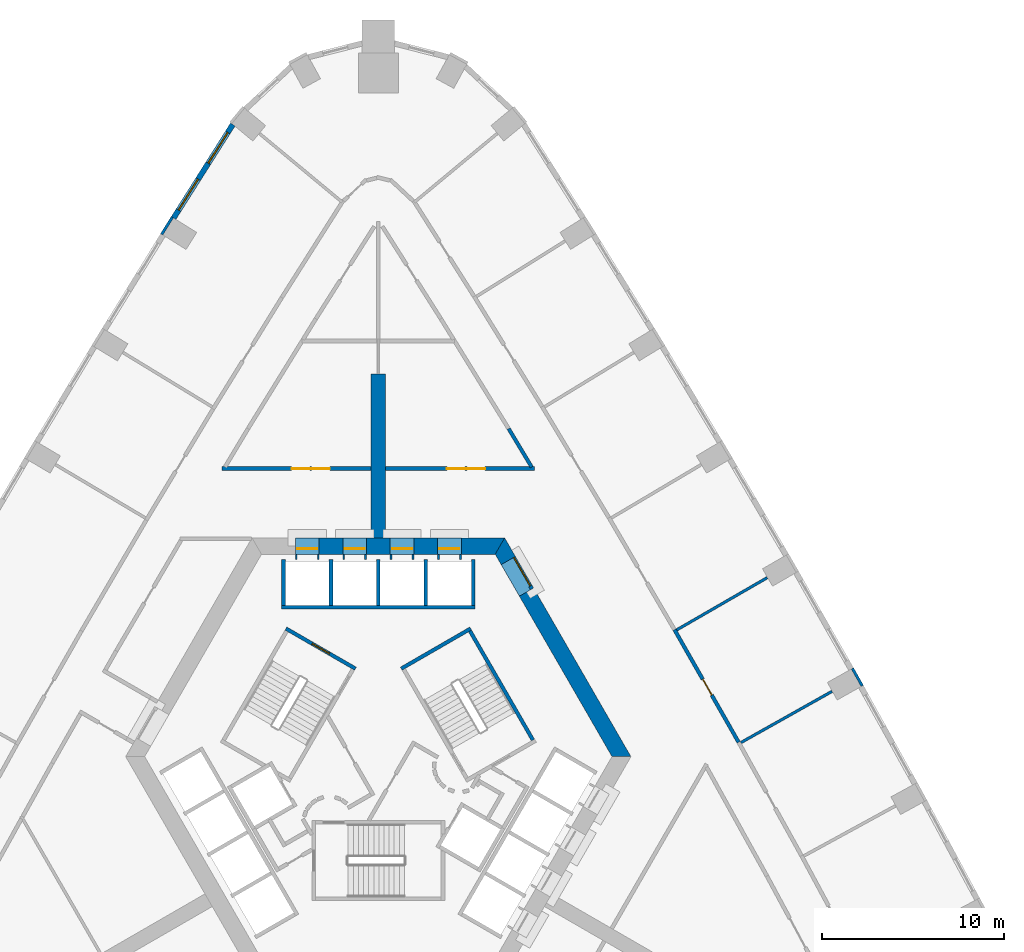
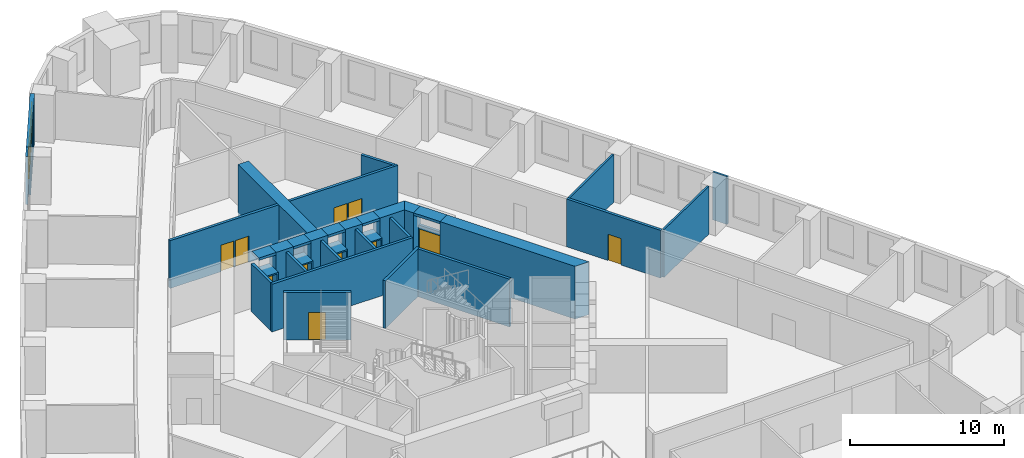
# One storey, part 9 of 13: 35 walls, 11 doors, 2 windows, 13 openings.
"""IFC4 building model written with IfcOpenShell, lengths in metres."""

from ifc_helpers import new_model, si_unit, direction, frame, frame_2d, origin, place, context, subcontext, project, spatial, polyline, rectangle, outline, extrude, material, layer, layer_set, type_object, element, fill, save


model = new_model("IFC4")

# Units and contexts
model_context = context("Model", 3, precision=1e-05, world=origin(), true_north=direction((0.0, 1.0)))
body_context = subcontext(model_context, "Body", "Model", "MODEL_VIEW")
ifc_project = project(units=[si_unit("LENGTHUNIT", "METRE"), si_unit("AREAUNIT", "SQUARE_METRE"), si_unit("VOLUMEUNIT", "CUBIC_METRE"), si_unit("PLANEANGLEUNIT", "RADIAN"), si_unit("MASSUNIT", "GRAM", prefix="KILO")], contexts=[model_context])

# Site, building, storey
site_placement = place(None, origin())
site = spatial("IfcSite", under=ifc_project, at=site_placement, CompositionType="ELEMENT")
building_placement = place(site_placement, origin())
building = spatial("IfcBuilding", under=site, at=building_placement, Name="Entoto Arch Interchange Tower", CompositionType="ELEMENT")
storey_placement = place(building_placement, frame((0.0, 0.0, 90.800048828125)))
storey = spatial("IfcBuildingStorey", under=building, at=storey_placement, Name="L19", CompositionType="ELEMENT", Elevation=90.800048828125)

# Wall
ifc_material_1 = material(Name="Concrete C60/75", Category="concrete")
ifc_layer_1 = layer(ifc_material_1, 0.800048828125)
ifc_layer_set_1 = layer_set([ifc_layer_1], Name="Concrete C60/75")
wall_type_1 = type_object("IfcWallType", Name="Buttress wall 800 C60/75", PredefinedType="SHEAR", material=ifc_layer_set_1)
wall_1_placement = place(storey_placement, frame((0.0, 14.5, -0.400146484375), z_axis=(0.0, 0.0, 1.0), x_axis=(0.0, 1.0, 0.0)))
element("IfcWall", 1, at=wall_1_placement, inside=storey, type_object=wall_type_1, Name="Buttress wall N L19", PredefinedType="SHEAR", context=body_context, shape_type="SweptSolid", body=[
    extrude(rectangle(XDim=9.0, YDim=0.800048828125, at=frame_2d((4.5, 0.0))), origin(), (0.0, 0.0, 1.0), 4.2001953125),
])

# Wall, opening, door
ifc_material_2 = material(Name="Reinforced concrete C40/50", Category="concrete")
ifc_layer_2 = layer(ifc_material_2, 0.199951171875)
ifc_layer_set_2 = layer_set([ifc_layer_2], Name="Reinforced concrete C40/50")
wall_type_2 = type_object("IfcWallType", Name="CORE GAP INFILL WALL", PredefinedType="PARTITIONING", material=ifc_layer_set_2)
wall_2_placement = place(storey_placement, frame((8.429931640625, 11.697998046875, 0.0), z_axis=(0.0, 0.0, 1.0), x_axis=(-0.50002537861, 0.866010750942, 0.0)))
wall_2 = element("IfcWall", 2, at=wall_2_placement, inside=storey, type_object=wall_type_2, Name="wall:L19:gap2", PredefinedType="PARTITIONING", context=body_context, shape_type="SweptSolid", body=[
    extrude(rectangle(XDim=2.0, YDim=0.199951171875, at=frame_2d((1.0, 0.0))), origin(), (0.0, 0.0, 1.0), 2.39990234375),
])
opening_1_placement = place(wall_2_placement, frame((0.18994140625, 0.0, 0.0)))
opening_1 = element("IfcOpeningElement", 3, at=opening_1_placement, cuts=wall_2, Name="Opening L19-D92", PredefinedType="OPENING", context=body_context, shape_type="SweptSolid", body=[
    extrude(rectangle(XDim=1.800048828125, YDim=2.10009765625, at=frame_2d((0.89990234375, 1.050048828125))), frame((0.0, 0.10986328125, 0.0), z_axis=(0.0, -1.0, 0.0), x_axis=(1.0, 0.0, 0.0)), (0.0, 0.0, 1.0), 0.219970703125),
])
ifc_material_3 = material(Name="Fire-rated Steel S235 door and frame", Category="steel")
door_type_1 = type_object("IfcDoorType", Name="DOOR FD-18 1800x2100", OperationType="DOUBLE_DOOR_SINGLE_SWING", PredefinedType="DOOR", material=ifc_material_3)
door_1_placement = place(opening_1_placement, origin())
door_1 = element("IfcDoor", 4, at=door_1_placement, inside=storey, type_object=door_type_1, Name="door:L19:gap2", OperationType="DOUBLE_DOOR_SINGLE_SWING", OverallHeight=2.10009765625, OverallWidth=1.800048828125, PredefinedType="DOOR", context=body_context, shape_type="SweptSolid", body=[
    extrude(rectangle(XDim=1.800048828125, YDim=2.10009765625, at=frame_2d((0.89990234375, 1.050048828125))), frame((0.0, 0.02490234375, 0.0), z_axis=(0.0, -1.0, 0.0), x_axis=(1.0, 0.0, 0.0)), (0.0, 0.0, 1.0), 0.050048828125),
])
fill(opening_1, door_1)

# Walls
ifc_layer_3 = layer(ifc_material_1, 0.89990234375)
ifc_layer_set_3 = layer_set([ifc_layer_3], Name="Concrete C60/75")
wall_type_3 = type_object("IfcWallType", Name="Core wall 900 C60/75", PredefinedType="SHEAR", material=ifc_layer_set_3)
wall_3_placement = place(storey_placement, frame((0.0, 0.0, -0.400146484375)))
element("IfcWall", 5, at=wall_3_placement, inside=storey, type_object=wall_type_3, Name="Core wall NE L19", PredefinedType="SHEAR", context=body_context, shape_type="SweptSolid", body=[
    extrude(outline(polyline([(8.51708984375, 11.748046875), (7.738037109375, 11.298095703125), (12.81689453125, 2.5), (13.85595703125, 2.5), (8.51708984375, 11.748046875)])), origin(), (0.0, 0.0, 1.0), 4.2001953125),
])
wall_4_placement = place(storey_placement, frame((0.0, 0.0, -0.400146484375)))
element("IfcWall", 6, at=wall_4_placement, inside=storey, type_object=wall_type_3, Name="Core wall NE L19", PredefinedType="SHEAR", context=body_context, shape_type="SweptSolid", body=[
    extrude(outline(polyline([(6.738037109375, 13.030029296875), (7.51708984375, 13.47998046875), (6.927978515625, 14.5), (6.408935546875, 13.60009765625), (6.738037109375, 13.030029296875)])), origin(), (0.0, 0.0, 1.0), 4.2001953125),
])
wall_5_placement = place(storey_placement, frame((0.0, 0.0, 3.599853515625)))
element("IfcWall", 7, at=wall_5_placement, inside=storey, type_object=wall_type_3, Name="Core wall lintel NE L19", PredefinedType="SHEAR", context=body_context, shape_type="SweptSolid", body=[
    extrude(outline(polyline([(7.51708984375, 13.47998046875), (6.738037109375, 13.030029296875), (7.738037109375, 11.298095703125), (8.51708984375, 11.748046875), (7.51708984375, 13.47998046875)])), origin(), (0.0, 0.0, 1.0), 0.2001953125),
])
wall_6_placement = place(storey_placement, frame((0.0, 0.0, -0.400146484375)))
element("IfcWall", 8, at=wall_6_placement, inside=storey, type_object=wall_type_3, Name="Core wall N L19", PredefinedType="SHEAR", context=body_context, shape_type="SweptSolid", body=[
    extrude(outline(polyline([(4.550048828125, 14.5), (4.550048828125, 13.60009765625), (6.408935546875, 13.60009765625), (6.927978515625, 14.5), (4.550048828125, 14.5)])), origin(), (0.0, 0.0, 1.0), 4.2001953125),
])
wall_7_placement = place(storey_placement, frame((0.0, 0.0, -0.400146484375)))
element("IfcWall", 9, at=wall_7_placement, inside=storey, type_object=wall_type_3, Name="Core wall N L19", PredefinedType="SHEAR", context=body_context, shape_type="SweptSolid", body=[
    extrude(outline(polyline([(1.949951171875, 14.5), (1.949951171875, 13.60009765625), (3.25, 13.60009765625), (3.25, 14.5), (1.949951171875, 14.5)])), origin(), (0.0, 0.0, 1.0), 4.2001953125),
])
wall_8_placement = place(storey_placement, frame((0.0, 0.0, -0.400146484375)))
element("IfcWall", 10, at=wall_8_placement, inside=storey, type_object=wall_type_3, Name="Core wall N L19", PredefinedType="SHEAR", context=body_context, shape_type="SweptSolid", body=[
    extrude(outline(polyline([(-0.64990234375, 14.5), (-0.64990234375, 13.60009765625), (0.64990234375, 13.60009765625), (0.64990234375, 14.5), (-0.64990234375, 14.5)])), origin(), (0.0, 0.0, 1.0), 4.2001953125),
])
wall_9_placement = place(storey_placement, frame((0.0, 0.0, -0.400146484375)))
element("IfcWall", 11, at=wall_9_placement, inside=storey, type_object=wall_type_3, Name="Core wall N L19", PredefinedType="SHEAR", context=body_context, shape_type="SweptSolid", body=[
    extrude(outline(polyline([(-3.25, 14.5), (-3.25, 13.60009765625), (-1.949951171875, 13.60009765625), (-1.949951171875, 14.5), (-3.25, 14.5)])), origin(), (0.0, 0.0, 1.0), 4.2001953125),
])
wall_10_placement = place(storey_placement, frame((0.0, 0.0, 3.599853515625)))
element("IfcWall", 12, at=wall_10_placement, inside=storey, type_object=wall_type_3, Name="Core wall lintel N L19", PredefinedType="SHEAR", context=body_context, shape_type="SweptSolid", body=[
    extrude(outline(polyline([(3.25, 14.5), (3.25, 13.60009765625), (4.550048828125, 13.60009765625), (4.550048828125, 14.5), (3.25, 14.5)])), origin(), (0.0, 0.0, 1.0), 0.2001953125),
])
wall_11_placement = place(storey_placement, frame((0.0, 0.0, 3.599853515625)))
element("IfcWall", 13, at=wall_11_placement, inside=storey, type_object=wall_type_3, Name="Core wall lintel N L19", PredefinedType="SHEAR", context=body_context, shape_type="SweptSolid", body=[
    extrude(outline(polyline([(0.64990234375, 14.5), (0.64990234375, 13.60009765625), (1.949951171875, 13.60009765625), (1.949951171875, 14.5), (0.64990234375, 14.5)])), origin(), (0.0, 0.0, 1.0), 0.2001953125),
])
wall_12_placement = place(storey_placement, frame((0.0, 0.0, 3.599853515625)))
element("IfcWall", 14, at=wall_12_placement, inside=storey, type_object=wall_type_3, Name="Core wall lintel N L19", PredefinedType="SHEAR", context=body_context, shape_type="SweptSolid", body=[
    extrude(outline(polyline([(-1.949951171875, 14.5), (-1.949951171875, 13.60009765625), (-0.64990234375, 13.60009765625), (-0.64990234375, 14.5), (-1.949951171875, 14.5)])), origin(), (0.0, 0.0, 1.0), 0.2001953125),
])
wall_13_placement = place(storey_placement, frame((0.0, 0.0, 3.599853515625)))
element("IfcWall", 15, at=wall_13_placement, inside=storey, type_object=wall_type_3, Name="Core wall lintel N L19", PredefinedType="SHEAR", context=body_context, shape_type="SweptSolid", body=[
    extrude(outline(polyline([(-4.550048828125, 14.5), (-4.550048828125, 13.60009765625), (-3.25, 13.60009765625), (-3.25, 14.5), (-4.550048828125, 14.5)])), origin(), (0.0, 0.0, 1.0), 0.2001953125),
])

# Wall, opening, door
ifc_material_4 = material(Name="Concrete C40/50", Category="concrete")
ifc_layer_4 = layer(ifc_material_4, 1.199951171875)
ifc_layer_set_4 = layer_set([ifc_layer_4], Name="Concrete C40/50")
wall_type_4 = type_object("IfcWallType", Name="LIFT LANDING INFILL WALL", PredefinedType="STANDARD", material=ifc_layer_set_4)
wall_14_placement = place(storey_placement, frame((4.550048828125, 13.89990234375, 0.0), z_axis=(0.0, 0.0, 1.0), x_axis=(-1.0, 0.0, 0.0)))
wall_14 = element("IfcWall", 16, at=wall_14_placement, inside=storey, type_object=wall_type_4, Name="Lift landing infill wall LR1 L19", PredefinedType="STANDARD", context=body_context, shape_type="SweptSolid", body=[
    extrude(rectangle(XDim=1.300048828125, YDim=1.199951171875, at=frame_2d((0.64990234375, 0.0))), origin(), (0.0, 0.0, 1.0), 2.39990234375),
])
opening_2_placement = place(wall_14_placement, frame((0.10009765625, 0.0, 0.0)))
opening_2 = element("IfcOpeningElement", 17, at=opening_2_placement, cuts=wall_14, Name="Opening LD-LR1-L19", PredefinedType="OPENING", context=body_context, shape_type="SweptSolid", body=[
    extrude(rectangle(XDim=1.10009765625, YDim=2.300048828125, at=frame_2d((0.550048828125, 1.14990234375))), frame((0.0, 0.60986328125, 0.0), z_axis=(0.0, -1.0, 0.0), x_axis=(1.0, 0.0, 0.0)), (0.0, 0.0, 1.0), 1.219970703125),
])
ifc_material_5 = material(Name="Stainless steel 1.4301 panels", Category="steel")
door_type_2 = type_object("IfcDoorType", Name="LIFT LANDING DOOR LD2 1100x2300", OperationType="SLIDING_TO_LEFT", PredefinedType="DOOR", material=ifc_material_5)
door_2_placement = place(opening_2_placement, origin())
door_2 = element("IfcDoor", 18, at=door_2_placement, inside=storey, type_object=door_type_2, Name="Lift landing door LR1 L19", OperationType="SLIDING_TO_LEFT", OverallHeight=2.300048828125, OverallWidth=1.10009765625, PredefinedType="DOOR", context=body_context, shape_type="SweptSolid", body=[
    extrude(rectangle(XDim=1.10009765625, YDim=2.300048828125, at=frame_2d((0.550048828125, 1.14990234375))), frame((0.0, 0.02490234375, 0.0), z_axis=(0.0, -1.0, 0.0), x_axis=(1.0, 0.0, 0.0)), (0.0, 0.0, 1.0), 0.050048828125),
])
fill(opening_2, door_2)

wall_15_placement = place(storey_placement, frame((1.949951171875, 13.89990234375, 0.0), z_axis=(0.0, 0.0, 1.0), x_axis=(-1.0, 0.0, 0.0)))
wall_15 = element("IfcWall", 19, at=wall_15_placement, inside=storey, type_object=wall_type_4, Name="Lift landing infill wall LR2 L19", PredefinedType="STANDARD", context=body_context, shape_type="SweptSolid", body=[
    extrude(rectangle(XDim=1.300048828125, YDim=1.199951171875, at=frame_2d((0.64990234375, 0.0))), origin(), (0.0, 0.0, 1.0), 2.39990234375),
])
opening_3_placement = place(wall_15_placement, frame((0.10009765625, 0.0, 0.0)))
opening_3 = element("IfcOpeningElement", 20, at=opening_3_placement, cuts=wall_15, Name="Opening LD-LR2-L19", PredefinedType="OPENING", context=body_context, shape_type="SweptSolid", body=[
    extrude(rectangle(XDim=1.10009765625, YDim=2.300048828125, at=frame_2d((0.550048828125, 1.14990234375))), frame((0.0, 0.60986328125, 0.0), z_axis=(0.0, -1.0, 0.0), x_axis=(1.0, 0.0, 0.0)), (0.0, 0.0, 1.0), 1.219970703125),
])
door_3_placement = place(opening_3_placement, origin())
door_3 = element("IfcDoor", 21, at=door_3_placement, inside=storey, type_object=door_type_2, Name="Lift landing door LR2 L19", OperationType="SLIDING_TO_LEFT", OverallHeight=2.300048828125, OverallWidth=1.10009765625, PredefinedType="DOOR", context=body_context, shape_type="SweptSolid", body=[
    extrude(rectangle(XDim=1.10009765625, YDim=2.300048828125, at=frame_2d((0.550048828125, 1.14990234375))), frame((0.0, 0.02490234375, 0.0), z_axis=(0.0, -1.0, 0.0), x_axis=(1.0, 0.0, 0.0)), (0.0, 0.0, 1.0), 0.050048828125),
])
fill(opening_3, door_3)

wall_16_placement = place(storey_placement, frame((-0.64990234375, 13.89990234375, 0.0), z_axis=(0.0, 0.0, 1.0), x_axis=(-1.0, 0.0, 0.0)))
wall_16 = element("IfcWall", 22, at=wall_16_placement, inside=storey, type_object=wall_type_4, Name="Lift landing infill wall LR3 L19", PredefinedType="STANDARD", context=body_context, shape_type="SweptSolid", body=[
    extrude(rectangle(XDim=1.300048828125, YDim=1.199951171875, at=frame_2d((0.64990234375, 0.0))), origin(), (0.0, 0.0, 1.0), 2.39990234375),
])
opening_4_placement = place(wall_16_placement, frame((0.10009765625, 0.0, 0.0)))
opening_4 = element("IfcOpeningElement", 23, at=opening_4_placement, cuts=wall_16, Name="Opening LD-LR3-L19", PredefinedType="OPENING", context=body_context, shape_type="SweptSolid", body=[
    extrude(rectangle(XDim=1.10009765625, YDim=2.300048828125, at=frame_2d((0.550048828125, 1.14990234375))), frame((0.0, 0.60986328125, 0.0), z_axis=(0.0, -1.0, 0.0), x_axis=(1.0, 0.0, 0.0)), (0.0, 0.0, 1.0), 1.219970703125),
])
door_4_placement = place(opening_4_placement, origin())
door_4 = element("IfcDoor", 24, at=door_4_placement, inside=storey, type_object=door_type_2, Name="Lift landing door LR3 L19", OperationType="SLIDING_TO_LEFT", OverallHeight=2.300048828125, OverallWidth=1.10009765625, PredefinedType="DOOR", context=body_context, shape_type="SweptSolid", body=[
    extrude(rectangle(XDim=1.10009765625, YDim=2.300048828125, at=frame_2d((0.550048828125, 1.14990234375))), frame((0.0, 0.02490234375, 0.0), z_axis=(0.0, -1.0, 0.0), x_axis=(1.0, 0.0, 0.0)), (0.0, 0.0, 1.0), 0.050048828125),
])
fill(opening_4, door_4)

wall_17_placement = place(storey_placement, frame((-3.25, 13.89990234375, 0.0), z_axis=(0.0, 0.0, 1.0), x_axis=(-1.0, 0.0, 0.0)))
wall_17 = element("IfcWall", 25, at=wall_17_placement, inside=storey, type_object=wall_type_4, Name="Lift landing infill wall LR4 L19", PredefinedType="STANDARD", context=body_context, shape_type="SweptSolid", body=[
    extrude(rectangle(XDim=1.300048828125, YDim=1.199951171875, at=frame_2d((0.64990234375, 0.0))), origin(), (0.0, 0.0, 1.0), 2.39990234375),
])
opening_5_placement = place(wall_17_placement, frame((0.10009765625, 0.0, 0.0)))
opening_5 = element("IfcOpeningElement", 26, at=opening_5_placement, cuts=wall_17, Name="Opening LD-LR4-L19", PredefinedType="OPENING", context=body_context, shape_type="SweptSolid", body=[
    extrude(rectangle(XDim=1.10009765625, YDim=2.300048828125, at=frame_2d((0.550048828125, 1.14990234375))), frame((0.0, 0.60986328125, 0.0), z_axis=(0.0, -1.0, 0.0), x_axis=(1.0, 0.0, 0.0)), (0.0, 0.0, 1.0), 1.219970703125),
])
door_5_placement = place(opening_5_placement, origin())
door_5 = element("IfcDoor", 27, at=door_5_placement, inside=storey, type_object=door_type_2, Name="Lift landing door LR4 L19", OperationType="SLIDING_TO_LEFT", OverallHeight=2.300048828125, OverallWidth=1.10009765625, PredefinedType="DOOR", context=body_context, shape_type="SweptSolid", body=[
    extrude(rectangle(XDim=1.10009765625, YDim=2.300048828125, at=frame_2d((0.550048828125, 1.14990234375))), frame((0.0, 0.02490234375, 0.0), z_axis=(0.0, -1.0, 0.0), x_axis=(1.0, 0.0, 0.0)), (0.0, 0.0, 1.0), 0.050048828125),
])
fill(opening_5, door_5)

# Walls
ifc_layer_5 = layer(ifc_material_4, 0.199951171875)
ifc_layer_set_5 = layer_set([ifc_layer_5], Name="Concrete C40/50")
wall_type_5 = type_object("IfcWallType", Name="LIFT SHAFT WALL 200", PredefinedType="STANDARD", material=ifc_layer_set_5)
wall_18_placement = place(storey_placement, frame((5.300048828125, 10.699951171875, 0.0), z_axis=(0.0, 0.0, 1.0), x_axis=(-1.0, 0.0, 0.0)))
element("IfcWall", 28, at=wall_18_placement, inside=storey, type_object=wall_type_5, Name="Shaft wall N3 front", PredefinedType="STANDARD", context=body_context, shape_type="SweptSolid", body=[
    extrude(rectangle(XDim=10.60009765625, YDim=0.199951171875, at=frame_2d((5.300048828125, 0.0))), origin(), (0.0, 0.0, 1.0), 3.800048828125),
])
for number, where, z_axis, x_axis, name in (
    (29, (5.199951171875, 10.800048828125, 0.0), (0.0, 0.0, 1.0), (0.0, 1.0, 0.0), "Shaft wall N3 cross 1"),
    (30, (2.60009765625, 10.800048828125, 0.0), (0.0, 0.0, 1.0), (0.0, 1.0, 0.0), "Shaft wall N3 cross 2"),
    (31, (0.0, 10.800048828125, 0.0), (0.0, 0.0, 1.0), (0.0, 1.0, 0.0), "Shaft wall N3 cross 3"),
    (32, (-2.60009765625, 10.800048828125, 0.0), (0.0, 0.0, 1.0), (0.0, 1.0, 0.0), "Shaft wall N3 cross 4"),
    (33, (-5.199951171875, 10.800048828125, 0.0), (0.0, 0.0, 1.0), (0.0, 1.0, 0.0), "Shaft wall N3 cross 5"),
):
    element("IfcWall", number, at=place(storey_placement, frame(where, z_axis=z_axis, x_axis=x_axis)), inside=storey, type_object=wall_type_5, Name=name, PredefinedType="STANDARD", context=body_context, shape_type="SweptSolid", body=[
        extrude(rectangle(XDim=2.5, YDim=0.199951171875, at=frame_2d((1.25, 0.0))), origin(), (0.0, 0.0, 1.0), 3.800048828125),
    ])
ifc_material_6 = material(Name="Gypsum board partition on steel studs", Category="steel")
ifc_layer_6 = layer(ifc_material_6, 0.14990234375)
ifc_layer_set_6 = layer_set([ifc_layer_6], Name="Gypsum board partition on steel studs")
wall_type_6 = type_object("IfcWallType", Name="PARTITION 150", PredefinedType="PARTITIONING", material=ifc_layer_set_6)
wall_19_placement = place(storey_placement, frame((19.887939453125, 3.27001953125, 0.0), z_axis=(0.0, 0.0, 1.0), x_axis=(0.871789386467, 0.489880868828, 0.0)))
element("IfcWall", 34, at=wall_19_placement, inside=storey, type_object=wall_type_6, Name="wall:L19:p117", PredefinedType="PARTITIONING", context=body_context, shape_type="SweptSolid", body=[
    extrude(rectangle(XDim=5.729736328125, YDim=0.14990234375, at=frame_2d((2.86474609375, 0.0))), origin(), (0.0, 0.0, 1.0), 3.800048828125),
])
wall_20_placement = place(storey_placement, frame((16.366943359375, 9.449951171875, 0.0), z_axis=(0.0, 0.0, 1.0), x_axis=(0.866061440635, 0.499937577149, 0.0)))
element("IfcWall", 35, at=wall_20_placement, inside=storey, type_object=wall_type_6, Name="wall:L19:p118", PredefinedType="PARTITIONING", context=body_context, shape_type="SweptSolid", body=[
    extrude(rectangle(XDim=5.730712890625, YDim=0.14990234375, at=frame_2d((2.865234375, 0.0))), origin(), (0.0, 0.0, 1.0), 3.800048828125),
])
ifc_layer_7 = layer(ifc_material_6, 0.199951171875)
ifc_layer_set_7 = layer_set([ifc_layer_7], Name="Gypsum board partition on steel studs")
wall_type_7 = type_object("IfcWallType", Name="PARTITION 200", PredefinedType="PARTITIONING", material=ifc_layer_set_7)
wall_21_placement = place(storey_placement, frame((8.410888671875, 18.385986328125, 0.0), z_axis=(0.0, 0.0, 1.0), x_axis=(-0.515008089027, 0.857185317325, 0.0)))
element("IfcWall", 36, at=wall_21_placement, inside=storey, type_object=wall_type_7, Name="wall:L19:p001", PredefinedType="PARTITIONING", context=body_context, shape_type="SweptSolid", body=[
    extrude(rectangle(XDim=2.452392578125, YDim=0.199951171875, at=frame_2d((1.22607421875, 0.0))), origin(), (0.0, 0.0, 1.0), 3.800048828125),
])

# Wall, opening, door
wall_22_placement = place(storey_placement, frame((16.242919921875, 9.465087890625, 0.0), z_axis=(0.0, 0.0, 1.0), x_axis=(0.495081262009, -0.868846674625, 0.0)))
wall_22 = element("IfcWall", 37, at=wall_22_placement, inside=storey, type_object=wall_type_7, Name="wall:L19:p042", PredefinedType="PARTITIONING", context=body_context, shape_type="SweptSolid", body=[
    extrude(rectangle(XDim=7.112060546875, YDim=0.199951171875, at=frame_2d((3.55615234375, 0.0))), origin(), (0.0, 0.0, 1.0), 3.800048828125),
])
opening_6_placement = place(wall_22_placement, frame((3.131103515625, 0.0, 0.0)))
opening_6 = element("IfcOpeningElement", 38, at=opening_6_placement, cuts=wall_22, Name="Opening L19-D08", PredefinedType="OPENING", context=body_context, shape_type="SweptSolid", body=[
    extrude(rectangle(XDim=1.0, YDim=2.10009765625, at=frame_2d((0.5, 1.050048828125))), frame((0.0, 0.10986328125, 0.0), z_axis=(0.0, -1.0, 0.0), x_axis=(1.0, 0.0, 0.0)), (0.0, 0.0, 1.0), 0.219970703125),
])
ifc_material_7 = material(Name="Timber door leaf in Steel S235 frame", Category="steel")
door_type_3 = type_object("IfcDoorType", Name="DOOR DS-10 1000x2100", OperationType="SINGLE_SWING_LEFT", PredefinedType="DOOR", material=ifc_material_7)
door_6_placement = place(opening_6_placement, origin())
door_6 = element("IfcDoor", 39, at=door_6_placement, inside=storey, type_object=door_type_3, Name="door:L19:08", OperationType="SINGLE_SWING_LEFT", OverallHeight=2.10009765625, OverallWidth=1.0, PredefinedType="DOOR", context=body_context, shape_type="SweptSolid", body=[
    extrude(rectangle(XDim=1.0, YDim=2.10009765625, at=frame_2d((0.5, 1.050048828125))), frame((0.0, 0.02490234375, 0.0), z_axis=(0.0, -1.0, 0.0), x_axis=(1.0, 0.0, 0.0)), (0.0, 0.0, 1.0), 0.050048828125),
])
fill(opening_6, door_6)

# Wall, openings, doors
wall_23_placement = place(storey_placement, frame((0.39990234375, 18.300048828125, 0.0), z_axis=(0.0, 0.0, 1.0), x_axis=(1.0, 0.0, 0.0)))
wall_23 = element("IfcWall", 40, at=wall_23_placement, inside=storey, type_object=wall_type_7, Name="wall:L19:p099", PredefinedType="PARTITIONING", context=body_context, shape_type="SweptSolid", body=[
    extrude(rectangle(XDim=8.1630859375, YDim=0.199951171875, at=frame_2d((4.08154296875, 0.0))), origin(), (0.0, 0.0, 1.0), 3.800048828125),
])
opening_7_placement = place(wall_23_placement, frame((3.35595703125, 0.0, 0.0)))
opening_7 = element("IfcOpeningElement", 41, at=opening_7_placement, cuts=wall_23, Name="Opening L19-D24", PredefinedType="OPENING", context=body_context, shape_type="SweptSolid", body=[
    extrude(rectangle(XDim=1.0, YDim=2.10009765625, at=frame_2d((0.5, 1.050048828125))), frame((0.0, 0.10986328125, 0.0), z_axis=(0.0, -1.0, 0.0), x_axis=(1.0, 0.0, 0.0)), (0.0, 0.0, 1.0), 0.219970703125),
])
opening_8_placement = place(wall_23_placement, frame((4.4560546875, 0.0, 0.0)))
opening_8 = element("IfcOpeningElement", 42, at=opening_8_placement, cuts=wall_23, Name="Opening L19-D37", PredefinedType="OPENING", context=body_context, shape_type="SweptSolid", body=[
    extrude(rectangle(XDim=1.0, YDim=2.10009765625, at=frame_2d((0.5, 1.050048828125))), frame((0.0, 0.10986328125, 0.0), z_axis=(0.0, -1.0, 0.0), x_axis=(1.0, 0.0, 0.0)), (0.0, 0.0, 1.0), 0.219970703125),
])
door_7_placement = place(opening_7_placement, origin())
door_7 = element("IfcDoor", 43, at=door_7_placement, inside=storey, type_object=door_type_3, Name="door:L19:24", OperationType="SINGLE_SWING_RIGHT", OverallHeight=2.10009765625, OverallWidth=1.0, PredefinedType="DOOR", context=body_context, shape_type="SweptSolid", body=[
    extrude(rectangle(XDim=1.0, YDim=2.10009765625, at=frame_2d((0.5, 1.050048828125))), frame((0.0, 0.02490234375, 0.0), z_axis=(0.0, -1.0, 0.0), x_axis=(1.0, 0.0, 0.0)), (0.0, 0.0, 1.0), 0.050048828125),
])
fill(opening_7, door_7)
door_8_placement = place(opening_8_placement, origin())
door_8 = element("IfcDoor", 44, at=door_8_placement, inside=storey, type_object=door_type_3, Name="door:L19:37", OperationType="SINGLE_SWING_RIGHT", OverallHeight=2.10009765625, OverallWidth=1.0, PredefinedType="DOOR", context=body_context, shape_type="SweptSolid", body=[
    extrude(rectangle(XDim=1.0, YDim=2.10009765625, at=frame_2d((0.5, 1.050048828125))), frame((0.0, 0.02490234375, 0.0), z_axis=(0.0, -1.0, 0.0), x_axis=(1.0, 0.0, 0.0)), (0.0, 0.0, 1.0), 0.050048828125),
])
fill(opening_8, door_8)

wall_24_placement = place(storey_placement, frame((-8.56298828125, 18.300048828125, 0.0), z_axis=(0.0, 0.0, 1.0), x_axis=(1.0, 0.0, 0.0)))
wall_24 = element("IfcWall", 45, at=wall_24_placement, inside=storey, type_object=wall_type_7, Name="wall:L19:p100", PredefinedType="PARTITIONING", context=body_context, shape_type="SweptSolid", body=[
    extrude(rectangle(XDim=8.1630859375, YDim=0.199951171875, at=frame_2d((4.08154296875, 0.0))), origin(), (0.0, 0.0, 1.0), 3.800048828125),
])
opening_9_placement = place(wall_24_placement, frame((3.805908203125, 0.0, 0.0)))
opening_9 = element("IfcOpeningElement", 46, at=opening_9_placement, cuts=wall_24, Name="Opening L19-D25", PredefinedType="OPENING", context=body_context, shape_type="SweptSolid", body=[
    extrude(rectangle(XDim=1.0, YDim=2.10009765625, at=frame_2d((0.5, 1.050048828125))), frame((0.0, 0.10986328125, 0.0), z_axis=(0.0, -1.0, 0.0), x_axis=(1.0, 0.0, 0.0)), (0.0, 0.0, 1.0), 0.219970703125),
])
opening_10_placement = place(wall_24_placement, frame((4.906005859375, 0.0, 0.0)))
opening_10 = element("IfcOpeningElement", 47, at=opening_10_placement, cuts=wall_24, Name="Opening L19-D38", PredefinedType="OPENING", context=body_context, shape_type="SweptSolid", body=[
    extrude(rectangle(XDim=1.0, YDim=2.10009765625, at=frame_2d((0.5, 1.050048828125))), frame((0.0, 0.10986328125, 0.0), z_axis=(0.0, -1.0, 0.0), x_axis=(1.0, 0.0, 0.0)), (0.0, 0.0, 1.0), 0.219970703125),
])
door_9_placement = place(opening_9_placement, origin())
door_9 = element("IfcDoor", 48, at=door_9_placement, inside=storey, type_object=door_type_3, Name="door:L19:25", OperationType="SINGLE_SWING_RIGHT", OverallHeight=2.10009765625, OverallWidth=1.0, PredefinedType="DOOR", context=body_context, shape_type="SweptSolid", body=[
    extrude(rectangle(XDim=1.0, YDim=2.10009765625, at=frame_2d((0.5, 1.050048828125))), frame((0.0, 0.02490234375, 0.0), z_axis=(0.0, -1.0, 0.0), x_axis=(1.0, 0.0, 0.0)), (0.0, 0.0, 1.0), 0.050048828125),
])
fill(opening_9, door_9)
door_10_placement = place(opening_10_placement, origin())
door_10 = element("IfcDoor", 49, at=door_10_placement, inside=storey, type_object=door_type_3, Name="door:L19:38", OperationType="SINGLE_SWING_RIGHT", OverallHeight=2.10009765625, OverallWidth=1.0, PredefinedType="DOOR", context=body_context, shape_type="SweptSolid", body=[
    extrude(rectangle(XDim=1.0, YDim=2.10009765625, at=frame_2d((0.5, 1.050048828125))), frame((0.0, 0.02490234375, 0.0), z_axis=(0.0, -1.0, 0.0), x_axis=(1.0, 0.0, 0.0)), (0.0, 0.0, 1.0), 0.050048828125),
])
fill(opening_10, door_10)

# Walls
ifc_layer_8 = layer(ifc_material_4, 0.199951171875)
ifc_layer_set_8 = layer_set([ifc_layer_8], Name="Concrete C40/50")
wall_type_8 = type_object("IfcWallType", Name="STAIR ENCLOSURE WALL 200", PredefinedType="STANDARD", material=ifc_layer_set_8)
wall_25_placement = place(storey_placement, frame((1.256103515625, 7.323974609375, 0.0), z_axis=(0.0, 0.0, 1.0), x_axis=(0.866046073146, 0.499964197906, 0.0)))
element("IfcWall", 50, at=wall_25_placement, inside=storey, type_object=wall_type_8, Name="Stair wall ST-NE far", PredefinedType="STANDARD", context=body_context, shape_type="SweptSolid", body=[
    extrude(rectangle(XDim=4.400146484375, YDim=0.199951171875, at=frame_2d((2.2001953125, 0.0))), origin(), (0.0, 0.0, 1.0), 3.800048828125),
])
wall_26_placement = place(storey_placement, frame((8.47998046875, 3.412109375, 0.0), z_axis=(0.0, 0.0, 1.0), x_axis=(-0.499978703459, 0.866037698999, 0.0)))
element("IfcWall", 51, at=wall_26_placement, inside=storey, type_object=wall_type_8, Name="Stair wall ST-NE back", PredefinedType="STANDARD", context=body_context, shape_type="SweptSolid", body=[
    extrude(rectangle(XDim=6.900146484375, YDim=0.199951171875, at=frame_2d((3.4501953125, 0.0))), origin(), (0.0, 0.0, 1.0), 3.800048828125),
])

# Wall, opening, door
wall_27_placement = place(storey_placement, frame((-1.256103515625, 7.323974609375, 0.0), z_axis=(0.0, 0.0, 1.0), x_axis=(-0.866046073146, 0.499964197906, 0.0)))
wall_27 = element("IfcWall", 52, at=wall_27_placement, inside=storey, type_object=wall_type_8, Name="Stair wall ST-NW near", PredefinedType="STANDARD", context=body_context, shape_type="SweptSolid", body=[
    extrude(rectangle(XDim=4.400146484375, YDim=0.199951171875, at=frame_2d((2.2001953125, 0.0))), origin(), (0.0, 0.0, 1.0), 3.800048828125),
])
opening_11_placement = place(wall_27_placement, frame((1.64990234375, 0.0, 0.0)))
opening_11 = element("IfcOpeningElement", 53, at=opening_11_placement, cuts=wall_27, Name="Opening SD-ST-NW-L19-E", PredefinedType="OPENING", context=body_context, shape_type="SweptSolid", body=[
    extrude(rectangle(XDim=1.10009765625, YDim=2.199951171875, at=frame_2d((0.550048828125, 1.10009765625))), frame((0.0, 0.10986328125, 0.0), z_axis=(0.0, -1.0, 0.0), x_axis=(1.0, 0.0, 0.0)), (0.0, 0.0, 1.0), 0.219970703125),
])
ifc_material_8 = material(Name="Steel S235", Category="steel")
door_type_4 = type_object("IfcDoorType", Name="STAIR DOOR SD1 1100x2200", OperationType="SINGLE_SWING_LEFT", PredefinedType="DOOR", material=ifc_material_8)
door_11_placement = place(opening_11_placement, origin())
door_11 = element("IfcDoor", 54, at=door_11_placement, inside=storey, type_object=door_type_4, Name="Stair door ST-NW L19 end", OperationType="SINGLE_SWING_LEFT", OverallHeight=2.199951171875, OverallWidth=1.10009765625, PredefinedType="DOOR", context=body_context, shape_type="SweptSolid", body=[
    extrude(rectangle(XDim=1.10009765625, YDim=2.199951171875, at=frame_2d((0.550048828125, 1.10009765625))), frame((0.0, 0.02490234375, 0.0), z_axis=(0.0, -1.0, 0.0), x_axis=(1.0, 0.0, 0.0)), (0.0, 0.0, 1.0), 0.050048828125),
])
fill(opening_11, door_11)

# Wall, openings, windows
ifc_material_9 = material(Name="Welded tuff (ignimbrite) cladding, warm buff", Category="masonry")
ifc_layer_9 = layer(ifc_material_9, 0.300048828125)
ifc_layer_set_9 = layer_set([ifc_layer_9], Name="Welded tuff (ignimbrite) cladding, warm buff")
wall_type_9 = type_object("IfcWallType", Name="STONE INFILL WALL 300", PredefinedType="STANDARD", material=ifc_layer_set_9)
wall_28_placement = place(storey_placement, frame((-7.98193359375, 37.177001953125, 0.0), z_axis=(0.0, 0.0, 1.0), x_axis=(-0.534869492536, -0.84493468739, 0.0)))
wall_28 = element("IfcWall", 55, at=wall_28_placement, inside=storey, type_object=wall_type_9, Name="Facade wall NW-01 L19", PredefinedType="STANDARD", context=body_context, shape_type="SweptSolid", body=[
    extrude(rectangle(XDim=6.076171875, YDim=0.300048828125, at=frame_2d((3.0380859375, 0.0))), origin(), (0.0, 0.0, 1.0), 3.800048828125),
])
opening_12_placement = place(wall_28_placement, frame((0.51904296875, 0.0, 0.89990234375)))
opening_12 = element("IfcOpeningElement", 56, at=opening_12_placement, cuts=wall_28, Name="Opening WO-C", PredefinedType="OPENING", context=body_context, shape_type="SweptSolid", body=[
    extrude(rectangle(XDim=2.0, YDim=2.60009765625, at=frame_2d((1.0, 1.300048828125))), frame((0.0, 0.16015625, 0.0), z_axis=(0.0, -1.0, 0.0), x_axis=(1.0, 0.0, 0.0)), (0.0, 0.0, 1.0), 0.320068359375),
])
opening_13_placement = place(wall_28_placement, frame((3.556884765625, 0.0, 0.89990234375)))
opening_13 = element("IfcOpeningElement", 57, at=opening_13_placement, cuts=wall_28, Name="Opening WO-C", PredefinedType="OPENING", context=body_context, shape_type="SweptSolid", body=[
    extrude(rectangle(XDim=2.0, YDim=2.60009765625, at=frame_2d((1.0, 1.300048828125))), frame((0.0, 0.16015625, 0.0), z_axis=(0.0, -1.0, 0.0), x_axis=(1.0, 0.0, 0.0)), (0.0, 0.0, 1.0), 0.320068359375),
])
ifc_material_10 = material(Name="Clear glass, low-e double glazed", Category="glass")
window_type = type_object("IfcWindowType", Name="WINDOW WO-C 2000x2600", PartitioningType="DOUBLE_PANEL_VERTICAL", PredefinedType="WINDOW", material=ifc_material_10)
window_1_placement = place(opening_12_placement, origin())
window_1 = element("IfcWindow", 58, at=window_1_placement, inside=storey, type_object=window_type, Name="Window WO-C NW-01 L19", OverallHeight=2.60009765625, OverallWidth=2.0, PartitioningType="SINGLE_PANEL", PredefinedType="WINDOW", context=body_context, shape_type="SweptSolid", body=[
    extrude(rectangle(XDim=2.0, YDim=2.60009765625, at=frame_2d((1.0, 1.300048828125))), frame((0.0, 0.030029296875, 0.0), z_axis=(0.0, -1.0, 0.0), x_axis=(1.0, 0.0, 0.0)), (0.0, 0.0, 1.0), 0.06005859375),
])
fill(opening_12, window_1)
window_2_placement = place(opening_13_placement, origin())
window_2 = element("IfcWindow", 59, at=window_2_placement, inside=storey, type_object=window_type, Name="Window WO-C NW-01 L19", OverallHeight=2.60009765625, OverallWidth=2.0, PartitioningType="SINGLE_PANEL", PredefinedType="WINDOW", context=body_context, shape_type="SweptSolid", body=[
    extrude(rectangle(XDim=2.0, YDim=2.60009765625, at=frame_2d((1.0, 1.300048828125))), frame((0.0, 0.030029296875, 0.0), z_axis=(0.0, -1.0, 0.0), x_axis=(1.0, 0.0, 0.0)), (0.0, 0.0, 1.0), 0.06005859375),
])
fill(opening_13, window_2)

# Walls
ifc_layer_10 = layer(ifc_material_9, 0.14990234375)
ifc_layer_set_10 = layer_set([ifc_layer_10], Name="Welded tuff (ignimbrite) cladding, warm buff")
wall_type_10 = type_object("IfcWallType", Name="STONE PIER CLADDING 150", PredefinedType="STANDARD", material=ifc_layer_set_10)
for number, where, z_axis, x_axis, name in (
    (60, (26.54296875, 6.37890625, 0.0), (0.0, 0.0, 1.0), (-0.490008344094, 0.871717742574, 0.0), "Stone pier NE04 L19"),
    (61, (-11.298095703125, 32.0859375, 0.0), (0.0, 0.0, 1.0), (-0.52997899071, -0.848010771987, 0.0), "Stone pier NW02 L19"),
):
    element("IfcWall", number, at=place(storey_placement, frame(where, z_axis=z_axis, x_axis=x_axis)), inside=storey, type_object=wall_type_10, Name=name, PredefinedType="STANDARD", context=body_context, shape_type="SweptSolid", body=[
        extrude(rectangle(XDim=1.10009765625, YDim=0.14990234375, at=frame_2d((0.550048828125, 0.0))), origin(), (0.0, 0.0, 1.0), 3.800048828125),
    ])

save(model, "model.ifc")
